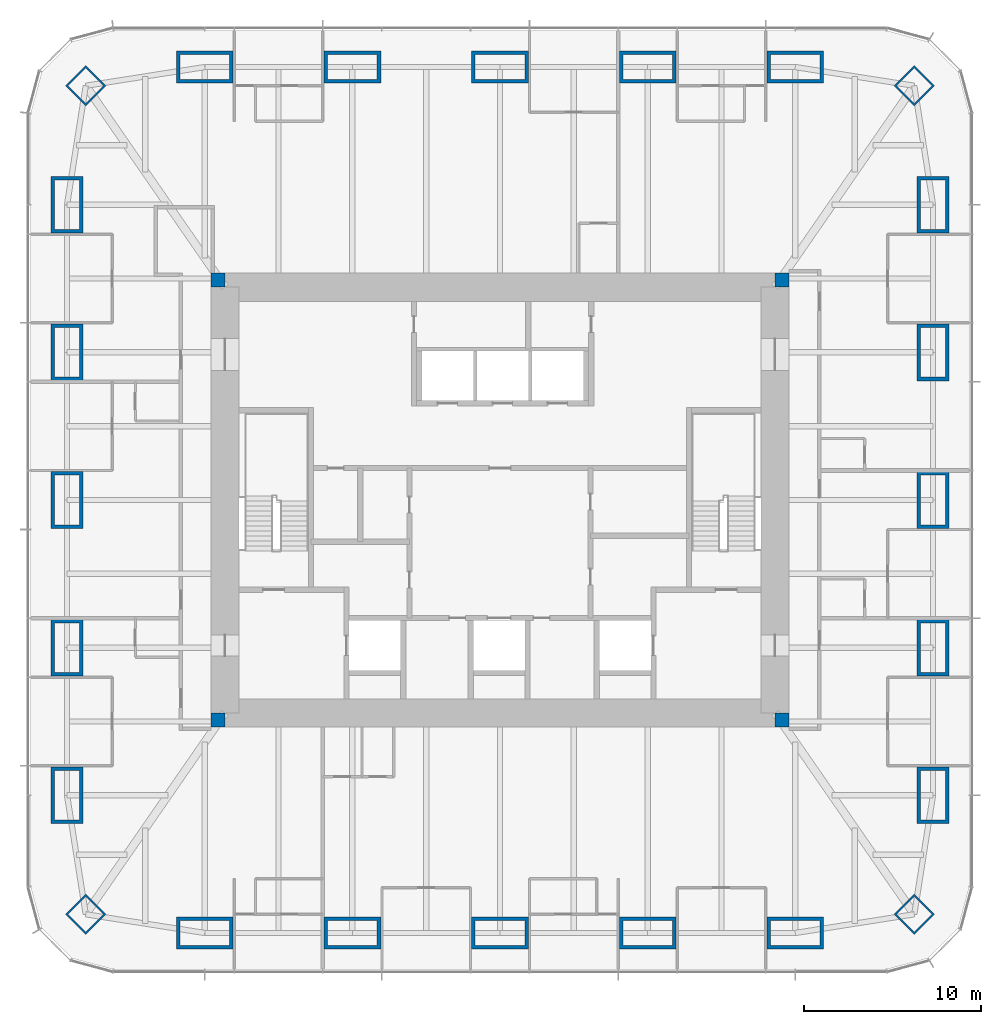
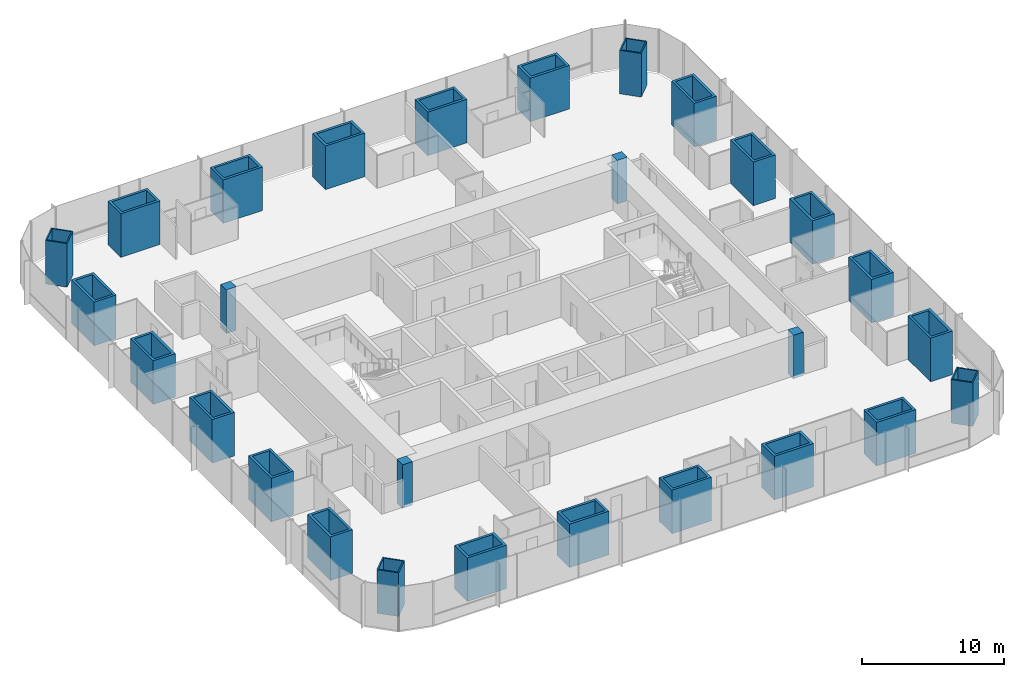
# One storey, part 1 of 12: 28 columns.
"""IFC4 building model written with IfcOpenShell, lengths in metres."""

import ifcopenshell
import ifcopenshell.guid

model = None  # the IFC model being written
_history = None  # IfcOwnerHistory: only IFC2X3 demands one
_inside = {}  # id of a spatial element -> (the spatial element, [elements in it])
_under = {}  # id of a project, library or spatial element -> (it, [spatial elements below it])
_declared = {}  # id of a project -> (the project, [libraries it declares])
_typed = {}  # id of a type object -> (the type object, [elements of that type])
_made_of = {}  # id of a material, layer set ... -> (it, [elements and type objects made of it])


def new_model(schema):
    """Start an empty IFC model of exactly this schema.

    Asked for "IFC4X3", IfcOpenShell would pick the latest addendum, in which some entities
    have other attributes; the version numbers below select the first issue.
    IFC2X3 requires an IfcOwnerHistory on every rooted entity: one is made here for all.
    """
    global model, _history
    if schema == "IFC4X3":
        model = ifcopenshell.file(schema_version=(4, 3, 0, 0))
    else:
        model = ifcopenshell.file(schema=schema)
    _inside.clear()
    _under.clear()
    _declared.clear()
    _typed.clear()
    _made_of.clear()
    _history = None
    if model.schema == "IFC2X3":
        org = make("IfcOrganization", Name="unknown")
        user = make(
            "IfcPersonAndOrganization",
            ThePerson=make("IfcPerson", FamilyName="unknown"),
            TheOrganization=org,
        )
        app = make(
            "IfcApplication",
            ApplicationDeveloper=org,
            Version="unknown",
            ApplicationFullName="unknown",
            ApplicationIdentifier="unknown",
        )
        _history = make(
            "IfcOwnerHistory",
            OwningUser=user,
            OwningApplication=app,
            ChangeAction="ADDED",
            CreationDate=0,
        )
    return model


def make(cls, **values):
    """One entity of the class cls with the attributes given. An attribute that is None is left unset."""
    return model.create_entity(
        cls, **{name: value for name, value in values.items() if value is not None}
    )


def rooted(cls, **values):
    """An entity with a GlobalId (a new one), such as an element, a storey or a relation."""
    return make(cls, GlobalId=ifcopenshell.guid.new(), OwnerHistory=_history, **values)


def si_unit(unit_type, name, prefix=None):
    """IfcSIUnit, for example si_unit("LENGTHUNIT", "METRE", prefix="MILLI")."""
    return make("IfcSIUnit", UnitType=unit_type, Prefix=prefix, Name=name)


def assignment(units):
    """IfcUnitAssignment: the units of a project."""
    return None if units is None else make("IfcUnitAssignment", Units=units)


def point(xyz):
    """IfcCartesianPoint."""
    return None if xyz is None else make("IfcCartesianPoint", Coordinates=xyz)


def direction(xyz):
    """IfcDirection."""
    return None if xyz is None else make("IfcDirection", DirectionRatios=xyz)


def frame(location, z_axis=None, x_axis=None):
    """IfcAxis2Placement3D, a coordinate frame: its origin and axes. An axis left out is left unset."""
    return make(
        "IfcAxis2Placement3D",
        Location=point(location),
        Axis=direction(z_axis),
        RefDirection=direction(x_axis),
    )


def frame_2d(location, x_axis=None):
    """IfcAxis2Placement2D, a coordinate frame in the plane: its origin and x axis."""
    return make(
        "IfcAxis2Placement2D", Location=point(location), RefDirection=direction(x_axis)
    )


def origin():
    """The frame at (0, 0, 0) with its axes left unset."""
    return frame((0.0, 0.0, 0.0))


def origin_2d():
    """The frame at (0, 0) in the plane with its x axis left unset."""
    return frame_2d((0.0, 0.0))


def place(relative_to, where):
    """IfcLocalPlacement: puts the frame where relative to a parent placement (None: the world)."""
    return make(
        "IfcLocalPlacement", PlacementRelTo=relative_to, RelativePlacement=where
    )


def context(
    kind, dimensions, precision=None, world=None, true_north=None, identifier=None
):
    """IfcGeometricRepresentationContext, for example the 3D "Model" context."""
    return make(
        "IfcGeometricRepresentationContext",
        ContextIdentifier=identifier,
        ContextType=kind,
        CoordinateSpaceDimension=dimensions,
        Precision=precision,
        WorldCoordinateSystem=world,
        TrueNorth=true_north,
    )


def subcontext(parent, identifier, kind, view, scale=None):
    """IfcGeometricRepresentationSubContext, for example "Body" below "Model"."""
    return make(
        "IfcGeometricRepresentationSubContext",
        ContextIdentifier=identifier,
        ContextType=kind,
        ParentContext=parent,
        TargetScale=scale,
        TargetView=view,
    )


def project(units=None, contexts=None):
    """IfcProject with its units and contexts."""
    return rooted(
        "IfcProject",
        Name="project",
        RepresentationContexts=contexts,
        UnitsInContext=assignment(units),
    )


def spatial(cls, under=None, at=None, **own):
    """A site, building, storey or space (cls), placed at a placement, below another one or the project."""
    s = rooted(cls, ObjectPlacement=at, **own)
    if under is not None:
        _under.setdefault(under.id(), (under, []))[1].append(s)
    return s


def profile(cls, at=None, kind="AREA", **sizes):
    """A parametric profile (cls). Its sizes go by their IFC names, for example OverallWidth=200.0."""
    return make(cls, ProfileType=kind, Position=at, **sizes)


def rectangle(**sizes):
    """IfcRectangleProfileDef."""
    return profile("IfcRectangleProfileDef", **sizes)


def hollow_rectangle(**sizes):
    """IfcRectangleHollowProfileDef."""
    return profile("IfcRectangleHollowProfileDef", **sizes)


def extrude(swept, where, along, depth):
    """IfcExtrudedAreaSolid: the profile swept, set in the frame where, extruded along a direction by depth."""
    return make(
        "IfcExtrudedAreaSolid",
        SweptArea=swept,
        Position=where,
        ExtrudedDirection=direction(along),
        Depth=depth,
    )


def shape(context_of_items, identifier, shape_type, items):
    """IfcShapeRepresentation: the items that make up one representation, for example the "Body"."""
    return make(
        "IfcShapeRepresentation",
        ContextOfItems=context_of_items,
        RepresentationIdentifier=identifier,
        RepresentationType=shape_type,
        Items=items,
    )


def material(Name=None, Category=None):
    """IfcMaterial."""
    return make("IfcMaterial", Name=Name, Category=Category)


def material_profile(
    of_material, cross_section, Name=None, Category=None, Priority=None
):
    """IfcMaterialProfile: a cross section and its material."""
    return make(
        "IfcMaterialProfile",
        Name=Name,
        Material=of_material,
        Profile=cross_section,
        Priority=Priority,
        Category=Category,
    )


def profile_set(profiles, Name=None, composite=None):
    """IfcMaterialProfileSet."""
    return make(
        "IfcMaterialProfileSet",
        Name=Name,
        MaterialProfiles=profiles,
        CompositeProfile=composite,
    )


def made_of(thing, what):
    """Note that an element or type object is made of a material, layer set ...; save() writes the relation."""
    if what is not None:
        _made_of.setdefault(what.id(), (what, []))[1].append(thing)
    return thing


def type_object(cls, material=None, **own):
    """A type object (cls), such as IfcWallType, which elements share."""
    return made_of(rooted(cls, **own), material)


def element(
    cls,
    number,
    at=None,
    inside=None,
    cuts=None,
    type_object=None,
    material=None,
    context=None,
    identifier="Body",
    shape_type=None,
    held_by="IfcProductDefinitionShape",
    body=None,
    shapes=None,
    **own,
):
    """One element of the class cls, such as IfcWall. Its Tag is "e" and its number.

    at: its placement. inside: the storey or other place that contains it. cuts: it is an
    opening in that element (IfcRelVoidsElement). A single representation is given by context,
    identifier, shape_type and body (its items); several are given by shapes. held_by: the class
    of the entity that holds the representations. save() writes the other relations.
    """
    e = rooted(cls, Tag="e%d" % number, ObjectPlacement=at, **own)
    if body is not None:
        shapes = [shape(context, identifier, shape_type, body)]
    if shapes is not None:
        e.Representation = make(held_by, Representations=shapes)
    if inside is not None:
        _inside.setdefault(inside.id(), (inside, []))[1].append(e)
    if cuts is not None:
        rooted(
            "IfcRelVoidsElement", RelatingBuildingElement=cuts, RelatedOpeningElement=e
        )
    if type_object is not None:
        _typed.setdefault(type_object.id(), (type_object, []))[1].append(e)
    return made_of(e, material)


def aggregate(whole, parts):
    """IfcRelAggregates: a whole, such as a stair, and the parts it consists of."""
    return rooted("IfcRelAggregates", RelatingObject=whole, RelatedObjects=parts)


def save(model, path):
    """Write the relations noted so far, then the file.

    IfcRelAggregates (storeys below a building ...), IfcRelContainedInSpatialStructure (elements
    in a storey), IfcRelDefinesByType, IfcRelAssociatesMaterial and IfcRelDeclares: one each for
    every whole, place, type object, material and project.
    """
    for whole, parts in _under.values():
        aggregate(whole, parts)
    for where, things in _inside.values():
        rooted(
            "IfcRelContainedInSpatialStructure",
            RelatedElements=things,
            RelatingStructure=where,
        )
    for kind, things in _typed.values():
        rooted("IfcRelDefinesByType", RelatedObjects=things, RelatingType=kind)
    for what, things in _made_of.values():
        rooted("IfcRelAssociatesMaterial", RelatedObjects=things, RelatingMaterial=what)
    for by, libraries in _declared.values():
        rooted("IfcRelDeclares", RelatingContext=by, RelatedDefinitions=libraries)
    model.write(path)


model = new_model("IFC4")

# Units and contexts
model_context = context("Model", 3, precision=1e-05, world=origin(), true_north=direction((0.0, 1.0)))
body_context = subcontext(model_context, "Body", "Model", "MODEL_VIEW")
ifc_project = project(units=[si_unit("LENGTHUNIT", "METRE"), si_unit("AREAUNIT", "SQUARE_METRE"), si_unit("VOLUMEUNIT", "CUBIC_METRE"), si_unit("PLANEANGLEUNIT", "RADIAN"), si_unit("MASSUNIT", "GRAM", prefix="KILO")], contexts=[model_context])

# Site, building, storey
site_placement = place(None, origin())
site = spatial("IfcSite", under=ifc_project, at=site_placement, CompositionType="ELEMENT")
building_placement = place(site_placement, origin())
building = spatial("IfcBuilding", under=site, at=building_placement, Name="Khuree Lantern Residences", CompositionType="ELEMENT")
storey_placement = place(building_placement, frame((0.0, 0.0, 203.25)))
storey = spatial("IfcBuildingStorey", under=building, at=storey_placement, Name="L50", CompositionType="ELEMENT", Elevation=203.25)

# Columns
ifc_material_1 = material(Name="Steel S355 CFT welded box", Category="steel")
ifc_material_profile_1 = material_profile(ifc_material_1, hollow_rectangle(XDim=1.60009765625, YDim=1.60009765625, WallThickness=0.10009765625, at=origin_2d()), Name="WELDED BOX 1600X1600X100")
ifc_profile_set_1 = profile_set([ifc_material_profile_1], Name="Steel S355 CFT welded box")
column_type_1 = type_object("IfcColumnType", Name="CC1600 PERIMETER CORNER MEGA COLUMN WELDED BOX 1600X1600X100", PredefinedType="COLUMN", material=ifc_profile_set_1)
for number, where, z_axis, x_axis, name in (
    (1, (23.345703125, 23.345703125, 0.0), (0.0, 0.0, 1.0), (0.707106781187, -0.707106781187, 0.0), "Perimeter column NE"),
    (2, (23.345703125, -23.345703125, 0.0), (0.0, 0.0, 1.0), (0.707106781187, 0.707106781187, 0.0), "Perimeter column SE"),
    (3, (-23.345703125, -23.345703125, 0.0), (0.0, 0.0, 1.0), (0.707106781187, -0.707106781187, 0.0), "Perimeter column SW"),
    (4, (-23.345703125, 23.345703125, 0.0), (0.0, 0.0, 1.0), (0.707106781187, 0.707106781187, 0.0), "Perimeter column NW"),
):
    element("IfcColumn", number, at=place(storey_placement, frame(where, z_axis=z_axis, x_axis=x_axis)), inside=storey, type_object=column_type_1, Name=name, PredefinedType="COLUMN", context=body_context, shape_type="SweptSolid", body=[
        extrude(hollow_rectangle(XDim=1.60009765625, YDim=1.60009765625, WallThickness=0.10009765625, at=origin_2d()), origin(), (0.0, 0.0, 1.0), 3.75),
    ])
ifc_material_2 = material(Name="Concrete C50/60", Category="concrete")
ifc_material_profile_2 = material_profile(ifc_material_2, rectangle(XDim=0.800048828125, YDim=0.800048828125, at=origin_2d()), Name="RC 800X800")
ifc_profile_set_2 = profile_set([ifc_material_profile_2], Name="Concrete C50/60")
column_type_2 = type_object("IfcColumnType", Name="CP800-C50 CORE CORNER PIER C50 RC 800X800", PredefinedType="COLUMN", material=ifc_profile_set_2)
for number, where, z_axis, x_axis, name in (
    (5, (15.89990234375, 12.39990234375, -0.25), (0.0, 0.0, 1.0), (1.0, 0.0, 0.0), "Core corner pier NE"),
    (6, (-15.89990234375, 12.39990234375, -0.25), (0.0, 0.0, 1.0), (1.0, 0.0, 0.0), "Core corner pier NW"),
    (7, (-15.89990234375, -12.39990234375, -0.25), (0.0, 0.0, 1.0), (1.0, 0.0, 0.0), "Core corner pier SW"),
    (8, (15.89990234375, -12.39990234375, -0.25), (0.0, 0.0, 1.0), (1.0, 0.0, 0.0), "Core corner pier SE"),
):
    element("IfcColumn", number, at=place(storey_placement, frame(where, z_axis=z_axis, x_axis=x_axis)), inside=storey, type_object=column_type_2, Name=name, PredefinedType="COLUMN", context=body_context, shape_type="SweptSolid", body=[
        extrude(rectangle(XDim=0.800048828125, YDim=0.800048828125, at=origin_2d()), origin(), (0.0, 0.0, 1.0), 3.75),
    ])
ifc_material_profile_3 = material_profile(ifc_material_1, hollow_rectangle(XDim=3.199951171875, YDim=1.800048828125, WallThickness=0.199951171875, at=origin_2d()), Name="WELDED BOX 3200X1800X200")
ifc_profile_set_3 = profile_set([ifc_material_profile_3], Name="Steel S355 CFT welded box")
column_type_3 = type_object("IfcColumnType", Name="SC1 PERIMETER MEGA COLUMN WELDED BOX 3200X1800X200", PredefinedType="COLUMN", material=ifc_profile_set_3)
for number, where, z_axis, x_axis, name in (
    (9, (-16.639892578125, 24.39990234375, 0.0), (0.0, 0.0, 1.0), (1.0, 0.0, 0.0), "Perimeter column N1"),
    (10, (-8.320068359375, 24.39990234375, 0.0), (0.0, 0.0, 1.0), (1.0, 0.0, 0.0), "Perimeter column N2"),
    (11, (0.0, 24.39990234375, 0.0), (0.0, 0.0, 1.0), (1.0, 0.0, 0.0), "Perimeter column N3"),
    (12, (8.320068359375, 24.39990234375, 0.0), (0.0, 0.0, 1.0), (1.0, 0.0, 0.0), "Perimeter column N4"),
    (13, (16.639892578125, 24.39990234375, 0.0), (0.0, 0.0, 1.0), (1.0, 0.0, 0.0), "Perimeter column N5"),
    (14, (24.39990234375, 16.639892578125, 0.0), (0.0, 0.0, 1.0), (0.0, 1.0, 0.0), "Perimeter column E1"),
    (15, (24.39990234375, 8.320068359375, 0.0), (0.0, 0.0, 1.0), (0.0, 1.0, 0.0), "Perimeter column E2"),
    (16, (24.39990234375, 0.0, 0.0), (0.0, 0.0, 1.0), (0.0, 1.0, 0.0), "Perimeter column E3"),
    (17, (24.39990234375, -8.320068359375, 0.0), (0.0, 0.0, 1.0), (0.0, 1.0, 0.0), "Perimeter column E4"),
    (18, (24.39990234375, -16.639892578125, 0.0), (0.0, 0.0, 1.0), (0.0, 1.0, 0.0), "Perimeter column E5"),
    (19, (16.639892578125, -24.39990234375, 0.0), (0.0, 0.0, 1.0), (1.0, 0.0, 0.0), "Perimeter column S1"),
    (20, (8.320068359375, -24.39990234375, 0.0), (0.0, 0.0, 1.0), (1.0, 0.0, 0.0), "Perimeter column S2"),
    (21, (0.0, -24.39990234375, 0.0), (0.0, 0.0, 1.0), (1.0, 0.0, 0.0), "Perimeter column S3"),
    (22, (-8.320068359375, -24.39990234375, 0.0), (0.0, 0.0, 1.0), (1.0, 0.0, 0.0), "Perimeter column S4"),
    (23, (-16.639892578125, -24.39990234375, 0.0), (0.0, 0.0, 1.0), (1.0, 0.0, 0.0), "Perimeter column S5"),
    (24, (-24.39990234375, -16.639892578125, 0.0), (0.0, 0.0, 1.0), (0.0, 1.0, 0.0), "Perimeter column W1"),
    (25, (-24.39990234375, -8.320068359375, 0.0), (0.0, 0.0, 1.0), (0.0, 1.0, 0.0), "Perimeter column W2"),
    (26, (-24.39990234375, 0.0, 0.0), (0.0, 0.0, 1.0), (0.0, 1.0, 0.0), "Perimeter column W3"),
    (27, (-24.39990234375, 8.320068359375, 0.0), (0.0, 0.0, 1.0), (0.0, 1.0, 0.0), "Perimeter column W4"),
    (28, (-24.39990234375, 16.639892578125, 0.0), (0.0, 0.0, 1.0), (0.0, 1.0, 0.0), "Perimeter column W5"),
):
    element("IfcColumn", number, at=place(storey_placement, frame(where, z_axis=z_axis, x_axis=x_axis)), inside=storey, type_object=column_type_3, Name=name, PredefinedType="COLUMN", context=body_context, shape_type="SweptSolid", body=[
        extrude(hollow_rectangle(XDim=3.199951171875, YDim=1.800048828125, WallThickness=0.199951171875, at=origin_2d()), origin(), (0.0, 0.0, 1.0), 3.75),
    ])

save(model, "model.ifc")
